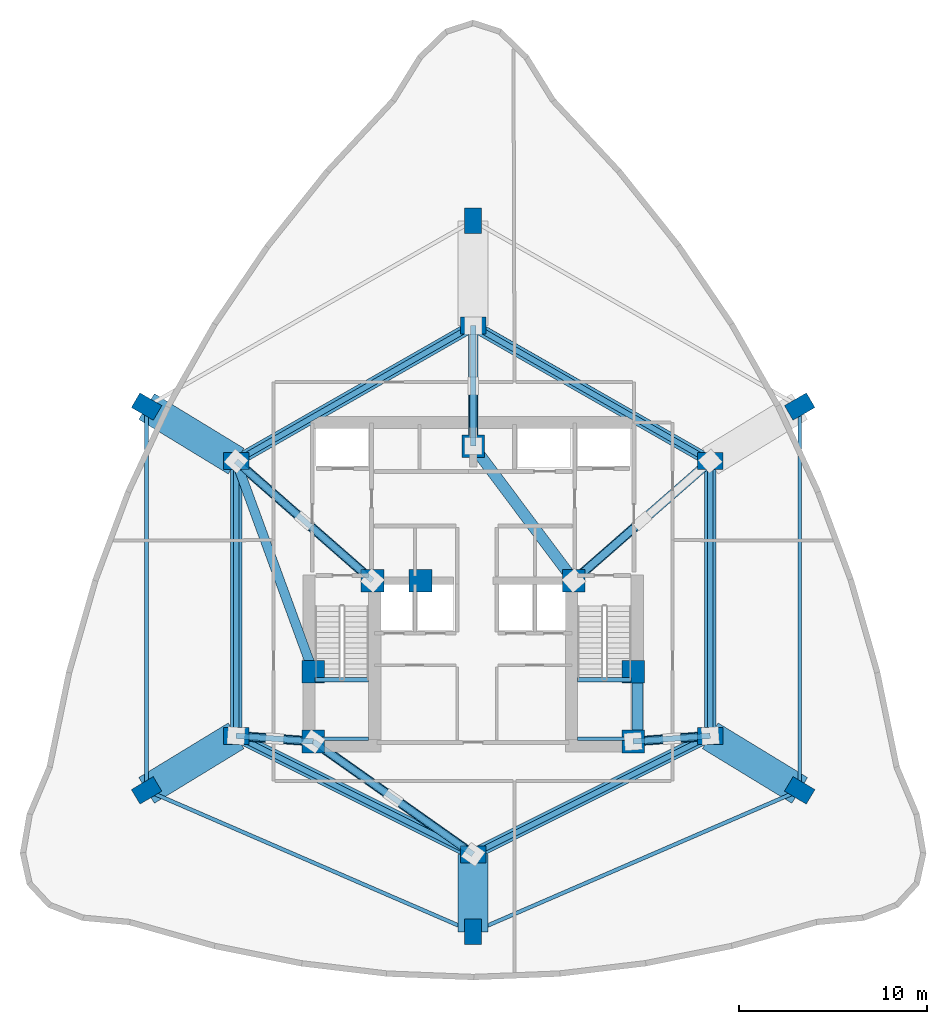
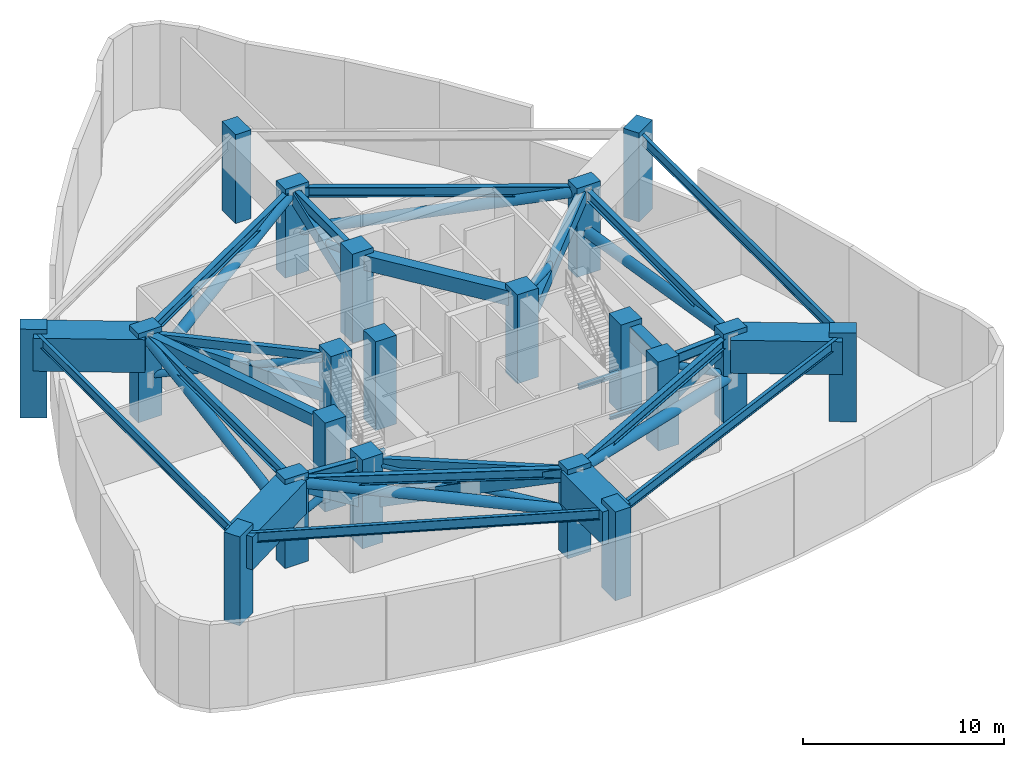
# One storey, part 1 of 6: 27 members, 24 beams, 20 columns.
"""IFC4 building model written with IfcOpenShell, lengths in metres."""

from ifc_helpers import new_model, si_unit, direction, frame, origin, origin_2d, place, context, subcontext, project, spatial, rectangle, hollow_rectangle, hollow_circle, i_section, extrude, material, material_profile, profile_set, type_object, element, save


model = new_model("IFC4")

# Units and contexts
model_context = context("Model", 3, precision=1e-05, world=origin(), true_north=direction((0.0, 1.0)))
body_context = subcontext(model_context, "Body", "Model", "MODEL_VIEW")
ifc_project = project(units=[si_unit("LENGTHUNIT", "METRE"), si_unit("AREAUNIT", "SQUARE_METRE"), si_unit("VOLUMEUNIT", "CUBIC_METRE"), si_unit("PLANEANGLEUNIT", "RADIAN"), si_unit("MASSUNIT", "GRAM", prefix="KILO")], contexts=[model_context])

# Site, building, storey
site_placement = place(None, origin())
site = spatial("IfcSite", under=ifc_project, at=site_placement, CompositionType="ELEMENT")
building_placement = place(site_placement, origin())
building = spatial("IfcBuilding", under=site, at=building_placement, Name="Miruveldt Soraemaru", CompositionType="ELEMENT")
storey_placement = place(building_placement, frame((0.0, 0.0, 90.39990234375)))
storey = spatial("IfcBuildingStorey", under=building, at=storey_placement, Name="L25", CompositionType="ELEMENT", Elevation=90.39990234375)

# Columns
ifc_material_1 = material(Name="Concrete C70/85 (70 MPa)", Category="concrete")
ifc_material_profile_1 = material_profile(ifc_material_1, rectangle(XDim=1.199951171875, YDim=1.199951171875, at=origin_2d()), Name="Concrete C70/85 (70 MPa)", Category="concrete")
ifc_profile_set_1 = profile_set([ifc_material_profile_1], Name="Concrete C70/85 (70 MPa)")
column_type_1 = type_object("IfcColumnType", Name="COL-CORE-1200", PredefinedType="COLUMN", material=ifc_profile_set_1)
for number, where, z_axis, x_axis, name in (
    (1, (35.5, 35.5, 0.0), (0.0, 0.0, 1.0), (1.0, 0.0, 0.0), "L25 Structural Column CC1"),
    (2, (38.64990234375, 44.050048828125, 0.0), (0.0, 0.0, 1.0), (1.0, 0.0, 0.0), "L25 Structural Column CC2"),
    (3, (52.5, 35.5, 0.0), (0.0, 0.0, 1.0), (1.0, 0.0, 0.0), "L25 Structural Column CC3"),
    (4, (52.5, 39.199951171875, 0.0), (0.0, 0.0, 1.0), (1.0, 0.0, 0.0), "L25 Structural Column CC4"),
    (5, (49.35009765625, 44.050048828125, 0.0), (0.0, 0.0, 1.0), (1.0, 0.0, 0.0), "L25 Structural Column CC5"),
    (6, (44.0, 51.199951171875, 0.0), (0.0, 0.0, 1.0), (1.0, 0.0, 0.0), "L25 Structural Column CC6"),
    (7, (35.5, 39.199951171875, 0.0), (0.0, 0.0, 1.0), (1.0, 0.0, 0.0), "L25 Structural Column CC7"),
    (8, (41.199951171875, 44.050048828125, 0.0), (0.0, 0.0, 1.0), (1.0, 0.0, 0.0), "L25 Structural Column CC8"),
):
    element("IfcColumn", number, at=place(storey_placement, frame(where, z_axis=z_axis, x_axis=x_axis)), inside=storey, type_object=column_type_1, Name=name, PredefinedType="COLUMN", context=body_context, shape_type="SweptSolid", body=[
        extrude(rectangle(XDim=1.199951171875, YDim=1.199951171875, at=origin_2d()), origin(), (0.0, 0.0, 1.0), 5.400146484375),
    ])
ifc_material_profile_2 = material_profile(ifc_material_1, rectangle(XDim=1.35009765625, YDim=0.89990234375, at=origin_2d()), Name="Concrete C70/85 (70 MPa)", Category="concrete")
ifc_profile_set_2 = profile_set([ifc_material_profile_2], Name="Concrete C70/85 (70 MPa)")
column_type_2 = type_object("IfcColumnType", Name="COL-TW-Z1B", PredefinedType="COLUMN", material=ifc_profile_set_2)
for number, where, z_axis, x_axis, name in (
    (9, (44.0, 57.60009765625, 0.0), (0.0, 0.0, 1.0), (1.0, 0.0, 0.0), "L25 Structural Column IR01"),
    (10, (56.60009765625, 50.39990234375, 0.0), (0.0, 0.0, 1.0), (1.0, 0.0, 0.0), "L25 Structural Column IR02"),
    (11, (56.60009765625, 35.800048828125, 0.0), (0.0, 0.0, 1.0), (1.0, 0.0, 0.0), "L25 Structural Column IR03"),
    (12, (44.0, 29.5, 0.0), (0.0, 0.0, 1.0), (1.0, 0.0, 0.0), "L25 Structural Column IR04"),
    (13, (31.39990234375, 35.800048828125, 0.0), (0.0, 0.0, 1.0), (1.0, 0.0, 0.0), "L25 Structural Column IR05"),
    (14, (31.39990234375, 50.39990234375, 0.0), (0.0, 0.0, 1.0), (1.0, 0.0, 0.0), "L25 Structural Column IR06"),
    (15, (44.0, 63.16796875, 0.0), (0.0, 0.0, 1.0), (0.0, 1.0, 0.0), "L25 Structural Column Z1P01"),
    (16, (61.35595703125, 53.300048828125, 0.0), (0.0, 0.0, 1.0), (0.864274801954, 0.50301994663, 0.0), "L25 Structural Column Z1P02"),
    (17, (61.35595703125, 32.89990234375, 0.0), (0.0, 0.0, 1.0), (-0.859852271597, 0.510542917912, 0.0), "L25 Structural Column Z1P03"),
    (18, (44.0, 25.382080078125, 0.0), (0.0, 0.0, 1.0), (0.0, 1.0, 0.0), "L25 Structural Column Z1P04"),
    (19, (26.64404296875, 32.89990234375, 0.0), (0.0, 0.0, 1.0), (0.859852271597, 0.510542917912, 0.0), "L25 Structural Column Z1P05"),
    (20, (26.64404296875, 53.300048828125, 0.0), (0.0, 0.0, 1.0), (-0.864274801954, 0.50301994663, 0.0), "L25 Structural Column Z1P06"),
):
    element("IfcColumn", number, at=place(storey_placement, frame(where, z_axis=z_axis, x_axis=x_axis)), inside=storey, type_object=column_type_2, Name=name, PredefinedType="COLUMN", context=body_context, shape_type="SweptSolid", body=[
        extrude(rectangle(XDim=1.35009765625, YDim=0.89990234375, at=origin_2d()), origin(), (0.0, 0.0, 1.0), 5.400146484375),
    ])

# Beams
ifc_material_2 = material(Name="Concrete C40/50 (40 MPa)", Category="concrete")
ifc_material_profile_3 = material_profile(ifc_material_2, rectangle(XDim=0.5, YDim=0.75, at=origin_2d()), Name="Concrete C40/50 (40 MPa)", Category="concrete")
ifc_profile_set_3 = profile_set([ifc_material_profile_3], Name="Concrete C40/50 (40 MPa)")
beam_type_1 = type_object("IfcBeamType", Name="BM-RC-500x750", PredefinedType="LINTEL", material=ifc_profile_set_3)
beam_1_placement = place(storey_placement, frame((31.39990234375, 50.39990234375, 4.72509765625), z_axis=(0.343770424598, -0.939053723262, 0.0), x_axis=(0.939053723262, 0.343770424598, 0.0)))
element("IfcBeam", 21, at=beam_1_placement, inside=storey, type_object=beam_type_1, Name="L25 West Lobby Lintel", PredefinedType="LINTEL", context=body_context, shape_type="SweptSolid", body=[
    extrude(rectangle(XDim=0.5, YDim=0.75, at=origin_2d()), origin(), (0.0, 0.0, 1.0), 11.9267578125),
])
ifc_material_3 = material(Name="Concrete C60/75 (60 MPa)", Category="concrete")
ifc_material_profile_4 = material_profile(ifc_material_3, rectangle(XDim=0.60009765625, YDim=0.89990234375, at=origin_2d()), Name="Concrete C60/75 (60 MPa)", Category="concrete")
ifc_profile_set_4 = profile_set([ifc_material_profile_4], Name="Concrete C60/75 (60 MPa)")
beam_type_2 = type_object("IfcBeamType", Name="BM-RC-600x900", PredefinedType="BEAM", material=ifc_profile_set_4)
beam_2_placement = place(storey_placement, frame((52.72998046875, 35.5, 4.650146484375), z_axis=(0.0, 1.0, 0.0), x_axis=(-1.0, 0.0, 0.0)))
element("IfcBeam", 22, at=beam_2_placement, inside=storey, type_object=beam_type_2, Name="L25 Core Tie Beam 3", PredefinedType="BEAM", context=body_context, shape_type="SweptSolid", body=[
    extrude(rectangle(XDim=0.60009765625, YDim=0.89990234375, at=origin_2d()), origin(), (0.0, 0.0, 1.0), 3.699951171875),
])
beam_3_placement = place(storey_placement, frame((49.35009765625, 44.050048828125, 4.650146484375), z_axis=(-0.599116023999, 0.800662219533, 0.0), x_axis=(-0.800662219533, -0.599116023999, 0.0)))
element("IfcBeam", 23, at=beam_3_placement, inside=storey, type_object=beam_type_2, Name="L25 Core Tie Beam 5", PredefinedType="BEAM", context=body_context, shape_type="SweptSolid", body=[
    extrude(rectangle(XDim=0.60009765625, YDim=0.89990234375, at=origin_2d()), origin(), (0.0, 0.0, 1.0), 8.929931640625),
])
ifc_material_4 = material(Name="Steel SM355 (355 MPa)", Category="steel")
ifc_material_profile_5 = material_profile(ifc_material_4, i_section(OverallWidth=0.300048828125, OverallDepth=0.587890625, WebThickness=0.011962890625, FlangeThickness=0.02001953125, FilletRadius=0.028076171875, at=origin_2d()), Name="Steel SM355 (355 MPa)", Category="steel")
ifc_profile_set_5 = profile_set([ifc_material_profile_5], Name="Steel SM355 (355 MPa)")
beam_type_3 = type_object("IfcBeamType", Name="BM-ST-H588", PredefinedType="BEAM", material=ifc_profile_set_5)
beam_4_placement = place(storey_placement, frame((44.0, 57.60009765625, 4.80615234375), z_axis=(0.868239001029, -0.496146185203, 0.0), x_axis=(0.496146185203, 0.868239001029, 0.0)))
element("IfcBeam", 24, at=beam_4_placement, inside=storey, type_object=beam_type_3, Name="L25 Inner Ring Girder 1", PredefinedType="BEAM", context=body_context, shape_type="SweptSolid", body=[
    extrude(i_section(OverallWidth=0.300048828125, OverallDepth=0.587890625, WebThickness=0.011962890625, FlangeThickness=0.02001953125, FilletRadius=0.028076171875, at=origin_2d()), origin(), (0.0, 0.0, 1.0), 14.51220703125),
])
beam_5_placement = place(storey_placement, frame((44.0, 51.199951171875, 4.80615234375), z_axis=(0.0, 1.0, 0.0), x_axis=(-1.0, 0.0, 0.0)))
element("IfcBeam", 25, at=beam_5_placement, inside=storey, type_object=beam_type_3, Name="L25 Core-to-Inner Radial Girder 1", PredefinedType="BEAM", context=body_context, shape_type="SweptSolid", body=[
    extrude(i_section(OverallWidth=0.300048828125, OverallDepth=0.587890625, WebThickness=0.011962890625, FlangeThickness=0.02001953125, FilletRadius=0.028076171875, at=origin_2d()), origin(), (0.0, 0.0, 1.0), 6.400146484375),
])
beam_6_placement = place(storey_placement, frame((56.60009765625, 50.39990234375, 4.80615234375), z_axis=(0.0, -1.0, 0.0), x_axis=(1.0, 0.0, 0.0)))
element("IfcBeam", 26, at=beam_6_placement, inside=storey, type_object=beam_type_3, Name="L25 Inner Ring Girder 2", PredefinedType="BEAM", context=body_context, shape_type="SweptSolid", body=[
    extrude(i_section(OverallWidth=0.300048828125, OverallDepth=0.587890625, WebThickness=0.011962890625, FlangeThickness=0.02001953125, FilletRadius=0.028076171875, at=origin_2d()), origin(), (0.0, 0.0, 1.0), 14.599853515625),
])
beam_7_placement = place(storey_placement, frame((56.60009765625, 35.800048828125, 4.80615234375), z_axis=(-0.894427191, -0.4472135955, 0.0), x_axis=(0.4472135955, -0.894427191, 0.0)))
element("IfcBeam", 27, at=beam_7_placement, inside=storey, type_object=beam_type_3, Name="L25 Inner Ring Girder 3", PredefinedType="BEAM", context=body_context, shape_type="SweptSolid", body=[
    extrude(i_section(OverallWidth=0.300048828125, OverallDepth=0.587890625, WebThickness=0.011962890625, FlangeThickness=0.02001953125, FilletRadius=0.028076171875, at=origin_2d()), origin(), (0.0, 0.0, 1.0), 14.08740234375),
])
beam_8_placement = place(storey_placement, frame((52.5, 35.5, 4.80615234375), z_axis=(0.997332985605, 0.072985723431, 0.0), x_axis=(-0.072985723431, 0.997332985605, 0.0)))
element("IfcBeam", 28, at=beam_8_placement, inside=storey, type_object=beam_type_3, Name="L25 Core-to-Inner Radial Girder 3", PredefinedType="BEAM", context=body_context, shape_type="SweptSolid", body=[
    extrude(i_section(OverallWidth=0.300048828125, OverallDepth=0.587890625, WebThickness=0.011962890625, FlangeThickness=0.02001953125, FilletRadius=0.028076171875, at=origin_2d()), origin(), (0.0, 0.0, 1.0), 4.111083984375),
])
beam_9_placement = place(storey_placement, frame((44.0, 29.5, 4.80615234375), z_axis=(-0.894427191, 0.4472135955, 0.0), x_axis=(-0.4472135955, -0.894427191, 0.0)))
element("IfcBeam", 29, at=beam_9_placement, inside=storey, type_object=beam_type_3, Name="L25 Inner Ring Girder 4", PredefinedType="BEAM", context=body_context, shape_type="SweptSolid", body=[
    extrude(i_section(OverallWidth=0.300048828125, OverallDepth=0.587890625, WebThickness=0.011962890625, FlangeThickness=0.02001953125, FilletRadius=0.028076171875, at=origin_2d()), origin(), (0.0, 0.0, 1.0), 14.08740234375),
])
beam_10_placement = place(storey_placement, frame((31.39990234375, 35.800048828125, 4.80615234375), z_axis=(0.0, 1.0, 0.0), x_axis=(-1.0, 0.0, 0.0)))
element("IfcBeam", 30, at=beam_10_placement, inside=storey, type_object=beam_type_3, Name="L25 Inner Ring Girder 5", PredefinedType="BEAM", context=body_context, shape_type="SweptSolid", body=[
    extrude(i_section(OverallWidth=0.300048828125, OverallDepth=0.587890625, WebThickness=0.011962890625, FlangeThickness=0.02001953125, FilletRadius=0.028076171875, at=origin_2d()), origin(), (0.0, 0.0, 1.0), 14.599853515625),
])
beam_11_placement = place(storey_placement, frame((35.5, 35.5, 4.80615234375), z_axis=(-0.997332985605, 0.072985723431, 0.0), x_axis=(-0.072985723431, -0.997332985605, 0.0)))
element("IfcBeam", 31, at=beam_11_placement, inside=storey, type_object=beam_type_3, Name="L25 Core-to-Inner Radial Girder 5", PredefinedType="BEAM", context=body_context, shape_type="SweptSolid", body=[
    extrude(i_section(OverallWidth=0.300048828125, OverallDepth=0.587890625, WebThickness=0.011962890625, FlangeThickness=0.02001953125, FilletRadius=0.028076171875, at=origin_2d()), origin(), (0.0, 0.0, 1.0), 4.111083984375),
])
beam_12_placement = place(storey_placement, frame((31.39990234375, 50.39990234375, 4.80615234375), z_axis=(0.868239001029, 0.496146185203, 0.0), x_axis=(-0.496146185203, 0.868239001029, 0.0)))
element("IfcBeam", 32, at=beam_12_placement, inside=storey, type_object=beam_type_3, Name="L25 Inner Ring Girder 6", PredefinedType="BEAM", context=body_context, shape_type="SweptSolid", body=[
    extrude(i_section(OverallWidth=0.300048828125, OverallDepth=0.587890625, WebThickness=0.011962890625, FlangeThickness=0.02001953125, FilletRadius=0.028076171875, at=origin_2d()), origin(), (0.0, 0.0, 1.0), 14.51220703125),
])
ifc_material_profile_6 = material_profile(ifc_material_4, i_section(OverallWidth=0.199951171875, OverallDepth=0.60009765625, WebThickness=0.010986328125, FlangeThickness=0.01708984375, FilletRadius=0.02197265625, at=origin_2d()), Name="Steel SM355 (355 MPa)", Category="steel")
ifc_profile_set_6 = profile_set([ifc_material_profile_6], Name="Steel SM355 (355 MPa)")
beam_type_4 = type_object("IfcBeamType", Name="BM-ST-H600", PredefinedType="SPANDREL", material=ifc_profile_set_6)
beam_13_placement = place(storey_placement, frame((61.35595703125, 53.300048828125, 4.800048828125), z_axis=(0.0, -1.0, 0.0), x_axis=(1.0, 0.0, 0.0)))
element("IfcBeam", 33, at=beam_13_placement, inside=storey, type_object=beam_type_4, Name="L25 Zone-1 Spandrel Beam 2", PredefinedType="SPANDREL", context=body_context, shape_type="SweptSolid", body=[
    extrude(i_section(OverallWidth=0.199951171875, OverallDepth=0.60009765625, WebThickness=0.010986328125, FlangeThickness=0.01708984375, FilletRadius=0.02197265625, at=origin_2d()), origin(), (0.0, 0.0, 1.0), 20.400146484375),
])
for number, where, z_axis, x_axis, name in (
    (34, (61.35595703125, 32.89990234375, 4.800048828125), (-0.917615263736, -0.397469782195, 0.0), (0.397469782195, -0.917615263736, 0.0), "L25 Zone-1 Spandrel Beam 3"),
    (35, (44.0, 25.382080078125, 4.800048828125), (-0.917615263736, 0.397469782195, 0.0), (-0.397469782195, -0.917615263736, 0.0), "L25 Zone-1 Spandrel Beam 4"),
):
    element("IfcBeam", number, at=place(storey_placement, frame(where, z_axis=z_axis, x_axis=x_axis)), inside=storey, type_object=beam_type_4, Name=name, PredefinedType="SPANDREL", context=body_context, shape_type="SweptSolid", body=[
        extrude(i_section(OverallWidth=0.199951171875, OverallDepth=0.60009765625, WebThickness=0.010986328125, FlangeThickness=0.01708984375, FilletRadius=0.02197265625, at=origin_2d()), origin(), (0.0, 0.0, 1.0), 18.914306640625),
    ])
beam_14_placement = place(storey_placement, frame((26.64404296875, 32.89990234375, 4.800048828125), z_axis=(0.0, 1.0, 0.0), x_axis=(-1.0, 0.0, 0.0)))
element("IfcBeam", 36, at=beam_14_placement, inside=storey, type_object=beam_type_4, Name="L25 Zone-1 Spandrel Beam 5", PredefinedType="SPANDREL", context=body_context, shape_type="SweptSolid", body=[
    extrude(i_section(OverallWidth=0.199951171875, OverallDepth=0.60009765625, WebThickness=0.010986328125, FlangeThickness=0.01708984375, FilletRadius=0.02197265625, at=origin_2d()), origin(), (0.0, 0.0, 1.0), 20.400146484375),
])
ifc_material_profile_7 = material_profile(ifc_material_4, i_section(OverallWidth=0.199951171875, OverallDepth=0.199951171875, WebThickness=0.008056640625, FlangeThickness=0.011962890625, FilletRadius=0.012939453125, at=origin_2d()), Name="Steel SM355 (355 MPa)", Category="steel")
ifc_profile_set_7 = profile_set([ifc_material_profile_7], Name="Steel SM355 (355 MPa)")
beam_type_5 = type_object("IfcBeamType", Name="BM-ST-LND200", PredefinedType="BEAM", material=ifc_profile_set_7)
for number, where, z_axis, x_axis, name in (
    (37, (35.60009765625, 35.64990234375, 2.400146484375), (1.0, 0.0, 0.0), (0.0, 1.0, 0.0), "L25 ST1 Landing End Beam 1B"),
    (38, (49.550048828125, 35.64990234375, 2.400146484375), (1.0, 0.0, 0.0), (0.0, 1.0, 0.0), "L25 ST2 Landing End Beam 1B"),
):
    element("IfcBeam", number, at=place(storey_placement, frame(where, z_axis=z_axis, x_axis=x_axis)), inside=storey, type_object=beam_type_5, Name=name, PredefinedType="BEAM", context=body_context, shape_type="SweptSolid", body=[
        extrude(i_section(OverallWidth=0.199951171875, OverallDepth=0.199951171875, WebThickness=0.008056640625, FlangeThickness=0.011962890625, FilletRadius=0.012939453125, at=origin_2d()), origin(), (0.0, 0.0, 1.0), 2.849853515625),
    ])
ifc_material_profile_8 = material_profile(ifc_material_4, i_section(OverallWidth=0.25, OverallDepth=0.25, WebThickness=0.009033203125, FlangeThickness=0.013916015625, FilletRadius=0.01611328125, at=origin_2d()), Name="Steel SM355 (355 MPa)", Category="steel")
ifc_profile_set_8 = profile_set([ifc_material_profile_8], Name="Steel SM355 (355 MPa)")
beam_type_6 = type_object("IfcBeamType", Name="BM-ST-LND250", PredefinedType="BEAM", material=ifc_profile_set_8)
for number, where, z_axis, x_axis, name in (
    (39, (35.60009765625, 38.780029296875, 2.375), (1.0, 0.0, 0.0), (0.0, 1.0, 0.0), "L25 ST1 Landing Support Beam 1A"),
    (40, (49.550048828125, 38.780029296875, 2.375), (1.0, 0.0, 0.0), (0.0, 1.0, 0.0), "L25 ST2 Landing Support Beam 1A"),
):
    element("IfcBeam", number, at=place(storey_placement, frame(where, z_axis=z_axis, x_axis=x_axis)), inside=storey, type_object=beam_type_6, Name=name, PredefinedType="BEAM", context=body_context, shape_type="SweptSolid", body=[
        extrude(i_section(OverallWidth=0.25, OverallDepth=0.25, WebThickness=0.009033203125, FlangeThickness=0.013916015625, FilletRadius=0.01611328125, at=origin_2d()), origin(), (0.0, 0.0, 1.0), 2.849853515625),
    ])
ifc_material_profile_9 = material_profile(ifc_material_1, rectangle(XDim=1.60009765625, YDim=2.0, at=origin_2d()), Name="Concrete C70/85 (70 MPa)", Category="concrete")
ifc_profile_set_9 = profile_set([ifc_material_profile_9], Name="Concrete C70/85 (70 MPa)")
beam_type_7 = type_object("IfcBeamType", Name="BM-TG-1600x2000", PredefinedType="USERDEFINED", material=ifc_profile_set_9)
beam_15_placement = place(storey_placement, frame((56.60009765625, 35.800048828125, 4.10009765625), z_axis=(0.853777644156, -0.520637814935, 0.0), x_axis=(0.520637814935, 0.853777644156, 0.0)))
element("IfcBeam", 41, at=beam_15_placement, inside=storey, type_object=beam_type_7, Name="L25 Continuous Zone-2 Transfer Girder 3", ObjectType="TRANSFER GIRDER", PredefinedType="USERDEFINED", context=body_context, shape_type="SweptSolid", body=[
    extrude(rectangle(XDim=1.60009765625, YDim=2.0, at=origin_2d()), origin(), (0.0, 0.0, 1.0), 5.5703125),
])
beam_16_placement = place(storey_placement, frame((44.0, 29.5, 4.10009765625), z_axis=(0.0, -1.0, 0.0), x_axis=(1.0, 0.0, 0.0)))
element("IfcBeam", 42, at=beam_16_placement, inside=storey, type_object=beam_type_7, Name="L25 Continuous Zone-2 Transfer Girder 4", ObjectType="TRANSFER GIRDER", PredefinedType="USERDEFINED", context=body_context, shape_type="SweptSolid", body=[
    extrude(rectangle(XDim=1.60009765625, YDim=2.0, at=origin_2d()), origin(), (0.0, 0.0, 1.0), 4.117919921875),
])
for number, where, z_axis, x_axis, name in (
    (43, (31.39990234375, 35.800048828125, 4.10009765625), (-0.853777644156, -0.520637814935, 0.0), (0.520637814935, -0.853777644156, 0.0), "L25 Continuous Zone-2 Transfer Girder 5"),
    (44, (31.39990234375, 50.39990234375, 4.10009765625), (-0.853777644156, 0.520637814935, 0.0), (-0.520637814935, -0.853777644156, 0.0), "L25 Continuous Zone-2 Transfer Girder 6"),
):
    element("IfcBeam", number, at=place(storey_placement, frame(where, z_axis=z_axis, x_axis=x_axis)), inside=storey, type_object=beam_type_7, Name=name, ObjectType="TRANSFER GIRDER", PredefinedType="USERDEFINED", context=body_context, shape_type="SweptSolid", body=[
        extrude(rectangle(XDim=1.60009765625, YDim=2.0, at=origin_2d()), origin(), (0.0, 0.0, 1.0), 5.5703125),
    ])

# Members
ifc_material_5 = material(Name="Steel S460 (460 MPa)", Category="steel")
ifc_material_profile_10 = material_profile(ifc_material_5, hollow_circle(Radius=0.3046875, WallThickness=0.02490234375, at=origin_2d()), Name="Steel S460 (460 MPa)", Category="steel")
ifc_profile_set_10 = profile_set([ifc_material_profile_10], Name="Steel S460 (460 MPa)")
member_type_1 = type_object("IfcMemberType", Name="MEM-BLT-CHS609", PredefinedType="BRACE", material=ifc_profile_set_10)
member_1_placement = place(storey_placement, frame((44.0, 57.60009765625, 2.420166015625), z_axis=(0.85660499507, -0.489498052986, 0.163154952558), x_axis=(0.496146185203, 0.868239001029, 0.0)))
element("IfcMember", 45, at=member_1_placement, inside=storey, type_object=member_type_1, Name="L25 Belt Truss Diagonal 1", PredefinedType="BRACE", context=body_context, shape_type="SweptSolid", body=[
    extrude(hollow_circle(Radius=0.3046875, WallThickness=0.02490234375, at=origin_2d()), origin(), (0.0, 0.0, 1.0), 14.709228515625),
])
member_2_placement = place(storey_placement, frame((56.60009765625, 50.39990234375, 2.420166015625), z_axis=(0.0, -0.98675761441, 0.162201758326), x_axis=(1.0, 0.0, 0.0)))
element("IfcMember", 46, at=member_2_placement, inside=storey, type_object=member_type_1, Name="L25 Belt Truss Diagonal 2", PredefinedType="BRACE", context=body_context, shape_type="SweptSolid", body=[
    extrude(hollow_circle(Radius=0.3046875, WallThickness=0.02490234375, at=origin_2d()), origin(), (0.0, 0.0, 1.0), 14.7958984375),
])
for number, where, z_axis, x_axis, name in (
    (47, (56.60009765625, 35.800048828125, 2.420166015625), (-0.881723946476, -0.440861973238, 0.167939282966), (0.4472135955, -0.894427191, 0.0), "L25 Belt Truss Diagonal 3"),
    (48, (44.0, 29.5, 2.420166015625), (-0.881723946476, 0.440861973238, 0.167939282966), (-0.4472135955, -0.894427191, 0.0), "L25 Belt Truss Diagonal 4"),
):
    element("IfcMember", number, at=place(storey_placement, frame(where, z_axis=z_axis, x_axis=x_axis)), inside=storey, type_object=member_type_1, Name=name, PredefinedType="BRACE", context=body_context, shape_type="SweptSolid", body=[
        extrude(hollow_circle(Radius=0.3046875, WallThickness=0.02490234375, at=origin_2d()), origin(), (0.0, 0.0, 1.0), 14.290283203125),
    ])
member_3_placement = place(storey_placement, frame((31.39990234375, 35.800048828125, 2.420166015625), z_axis=(0.0, 0.98675761441, 0.162201758326), x_axis=(-1.0, 0.0, 0.0)))
element("IfcMember", 49, at=member_3_placement, inside=storey, type_object=member_type_1, Name="L25 Belt Truss Diagonal 5", PredefinedType="BRACE", context=body_context, shape_type="SweptSolid", body=[
    extrude(hollow_circle(Radius=0.3046875, WallThickness=0.02490234375, at=origin_2d()), origin(), (0.0, 0.0, 1.0), 14.7958984375),
])
member_4_placement = place(storey_placement, frame((31.39990234375, 50.39990234375, 2.420166015625), z_axis=(0.85660499507, 0.489498052986, 0.163154952558), x_axis=(-0.496146185203, 0.868239001029, 0.0)))
element("IfcMember", 50, at=member_4_placement, inside=storey, type_object=member_type_1, Name="L25 Belt Truss Diagonal 6", PredefinedType="BRACE", context=body_context, shape_type="SweptSolid", body=[
    extrude(hollow_circle(Radius=0.3046875, WallThickness=0.02490234375, at=origin_2d()), origin(), (0.0, 0.0, 1.0), 14.709228515625),
])
ifc_material_profile_11 = material_profile(ifc_material_5, hollow_rectangle(XDim=0.300048828125, YDim=0.5, WallThickness=0.02001953125, at=origin_2d()), Name="Steel S460 (460 MPa)", Category="steel")
ifc_profile_set_11 = profile_set([ifc_material_profile_11], Name="Steel S460 (460 MPa)")
member_type_2 = type_object("IfcMemberType", Name="MEM-CHD-RHS500", PredefinedType="CHORD", material=ifc_profile_set_11)
member_5_placement = place(storey_placement, frame((44.0, 51.199951171875, 4.820068359375), z_axis=(0.0, 1.0, 0.0), x_axis=(-1.0, 0.0, 0.0)))
element("IfcMember", 51, at=member_5_placement, inside=storey, type_object=member_type_2, Name="L25 Outrigger Top Chord 1", PredefinedType="CHORD", context=body_context, shape_type="SweptSolid", body=[
    extrude(hollow_rectangle(XDim=0.300048828125, YDim=0.5, WallThickness=0.02001953125, at=origin_2d()), origin(), (0.0, 0.0, 1.0), 6.400146484375),
])
member_6_placement = place(storey_placement, frame((52.5, 35.5, 4.820068359375), z_axis=(0.997332985605, 0.072985723431, 0.0), x_axis=(-0.072985723431, 0.997332985605, 0.0)))
element("IfcMember", 52, at=member_6_placement, inside=storey, type_object=member_type_2, Name="L25 Outrigger Top Chord 3", PredefinedType="CHORD", context=body_context, shape_type="SweptSolid", body=[
    extrude(hollow_rectangle(XDim=0.300048828125, YDim=0.5, WallThickness=0.02001953125, at=origin_2d()), origin(), (0.0, 0.0, 1.0), 4.111083984375),
])
member_7_placement = place(storey_placement, frame((35.5, 35.5, 4.820068359375), z_axis=(0.816967863265, -0.576683197599, 0.0), x_axis=(0.576683197599, 0.816967863265, 0.0)))
element("IfcMember", 53, at=member_7_placement, inside=storey, type_object=member_type_2, Name="L25 Outrigger Top Chord 4", PredefinedType="CHORD", context=body_context, shape_type="SweptSolid", body=[
    extrude(hollow_rectangle(XDim=0.300048828125, YDim=0.5, WallThickness=0.02001953125, at=origin_2d()), origin(), (0.0, 0.0, 1.0), 10.404296875),
])
member_8_placement = place(storey_placement, frame((35.5, 35.5, 4.820068359375), z_axis=(-0.997332985605, 0.072985723431, 0.0), x_axis=(-0.072985723431, -0.997332985605, 0.0)))
element("IfcMember", 54, at=member_8_placement, inside=storey, type_object=member_type_2, Name="L25 Outrigger Top Chord 5", PredefinedType="CHORD", context=body_context, shape_type="SweptSolid", body=[
    extrude(hollow_rectangle(XDim=0.300048828125, YDim=0.5, WallThickness=0.02001953125, at=origin_2d()), origin(), (0.0, 0.0, 1.0), 4.111083984375),
])
member_9_placement = place(storey_placement, frame((38.64990234375, 44.050048828125, 4.820068359375), z_axis=(-0.752262759904, 0.658863218021, 0.0), x_axis=(-0.658863218021, -0.752262759904, 0.0)))
element("IfcMember", 55, at=member_9_placement, inside=storey, type_object=member_type_2, Name="L25 Outrigger Top Chord 6", PredefinedType="CHORD", context=body_context, shape_type="SweptSolid", body=[
    extrude(hollow_rectangle(XDim=0.300048828125, YDim=0.5, WallThickness=0.02001953125, at=origin_2d()), origin(), (0.0, 0.0, 1.0), 9.6376953125),
])
ifc_material_profile_12 = material_profile(ifc_material_5, hollow_rectangle(XDim=0.5, YDim=0.75, WallThickness=0.028076171875, at=origin_2d()), Name="Steel S460 (460 MPa)", Category="steel")
ifc_profile_set_12 = profile_set([ifc_material_profile_12], Name="Steel S460 (460 MPa)")
member_type_3 = type_object("IfcMemberType", Name="MEM-OUT-RHS750", PredefinedType="BRACE", material=ifc_profile_set_12)
member_10_placement = place(storey_placement, frame((44.0, 51.199951171875, 2.420166015625), z_axis=(0.0, 0.936336516595, 0.351103870232), x_axis=(-1.0, 0.0, 0.0)))
element("IfcMember", 56, at=member_10_placement, inside=storey, type_object=member_type_3, Name="L25 Outrigger Continuous Diagonal 1", PredefinedType="BRACE", context=body_context, shape_type="SweptSolid", body=[
    extrude(hollow_rectangle(XDim=0.5, YDim=0.75, WallThickness=0.028076171875, at=origin_2d()), origin(), (0.0, 0.0, 1.0), 6.835205078125),
])
member_11_placement = place(storey_placement, frame((49.35009765625, 44.050048828125, 2.420166015625), z_axis=(0.729970979928, 0.63933914389, 0.241635733186), x_axis=(-0.658863218021, 0.752262759904, 0.0)))
element("IfcMember", 57, at=member_11_placement, inside=storey, type_object=member_type_3, Name="L25 Outrigger Continuous Diagonal 2", PredefinedType="BRACE", context=body_context, shape_type="SweptSolid", body=[
    extrude(hollow_rectangle(XDim=0.5, YDim=0.75, WallThickness=0.028076171875, at=origin_2d()), origin(), (0.0, 0.0, 1.0), 9.931884765625),
])
member_12_placement = place(storey_placement, frame((52.5, 35.5, 2.420166015625), z_axis=(0.861312570062, 0.063031627284, 0.504150444427), x_axis=(-0.072985723431, 0.997332985605, 0.0)))
element("IfcMember", 58, at=member_12_placement, inside=storey, type_object=member_type_3, Name="L25 Outrigger Continuous Diagonal 3", PredefinedType="BRACE", context=body_context, shape_type="SweptSolid", body=[
    extrude(hollow_rectangle(XDim=0.5, YDim=0.75, WallThickness=0.028076171875, at=origin_2d()), origin(), (0.0, 0.0, 1.0), 4.76025390625),
])
member_13_placement = place(storey_placement, frame((35.5, 35.5, 2.420166015625), z_axis=(0.796064662036, -0.561927996731, 0.224762052729), x_axis=(0.576683197599, 0.816967863265, 0.0)))
element("IfcMember", 59, at=member_13_placement, inside=storey, type_object=member_type_3, Name="L25 Outrigger Continuous Diagonal 4", PredefinedType="BRACE", context=body_context, shape_type="SweptSolid", body=[
    extrude(hollow_rectangle(XDim=0.5, YDim=0.75, WallThickness=0.028076171875, at=origin_2d()), origin(), (0.0, 0.0, 1.0), 10.677490234375),
])
member_14_placement = place(storey_placement, frame((35.5, 35.5, 2.420166015625), z_axis=(-0.861312570062, 0.063031627284, 0.504150444427), x_axis=(-0.072985723431, -0.997332985605, 0.0)))
element("IfcMember", 60, at=member_14_placement, inside=storey, type_object=member_type_3, Name="L25 Outrigger Continuous Diagonal 5", PredefinedType="BRACE", context=body_context, shape_type="SweptSolid", body=[
    extrude(hollow_rectangle(XDim=0.5, YDim=0.75, WallThickness=0.028076171875, at=origin_2d()), origin(), (0.0, 0.0, 1.0), 4.76025390625),
])
member_15_placement = place(storey_placement, frame((38.64990234375, 44.050048828125, 2.420166015625), z_axis=(-0.729970979928, 0.63933914389, 0.241635733186), x_axis=(-0.658863218021, -0.752262759904, 0.0)))
element("IfcMember", 61, at=member_15_placement, inside=storey, type_object=member_type_3, Name="L25 Outrigger Continuous Diagonal 6", PredefinedType="BRACE", context=body_context, shape_type="SweptSolid", body=[
    extrude(hollow_rectangle(XDim=0.5, YDim=0.75, WallThickness=0.028076171875, at=origin_2d()), origin(), (0.0, 0.0, 1.0), 9.931884765625),
])
ifc_material_profile_13 = material_profile(ifc_material_5, hollow_circle(Radius=0.203125, WallThickness=0.01611328125, at=origin_2d()), Name="Steel S460 (460 MPa)", Category="steel")
ifc_profile_set_13 = profile_set([ifc_material_profile_13], Name="Steel S460 (460 MPa)")
member_type_4 = type_object("IfcMemberType", Name="MEM-STR-CHS406", PredefinedType="STRUT", material=ifc_profile_set_13)
member_16_placement = place(storey_placement, frame((44.0, 51.199951171875, 4.820068359375), z_axis=(0.0, 0.936332113326, -0.351115612802), x_axis=(-1.0, 0.0, 0.0)))
element("IfcMember", 62, at=member_16_placement, inside=storey, type_object=member_type_4, Name="L25 Outrigger Split Strut Upper 1A", PredefinedType="STRUT", context=body_context, shape_type="SweptSolid", body=[
    extrude(hollow_circle(Radius=0.203125, WallThickness=0.01611328125, at=origin_2d()), origin(), (0.0, 0.0, 1.0), 3.41748046875),
])
member_17_placement = place(storey_placement, frame((49.35009765625, 44.050048828125, 4.820068359375), z_axis=(0.729959507836, 0.639353677223, -0.241631935682), x_axis=(-0.658877553092, 0.752250204407, 0.0)))
element("IfcMember", 63, at=member_17_placement, inside=storey, type_object=member_type_4, Name="L25 Outrigger Split Strut Upper 2A", PredefinedType="STRUT", context=body_context, shape_type="SweptSolid", body=[
    extrude(hollow_circle(Radius=0.203125, WallThickness=0.01611328125, at=origin_2d()), origin(), (0.0, 0.0, 1.0), 4.966064453125),
])
for number, where, z_axis, x_axis, name in (
    (64, (52.5, 35.5, 4.820068359375), (0.861315353306, 0.062980543876, -0.504152073538), (-0.072926653125, 0.997337306664, 0.0), "L25 Outrigger Split Strut Upper 3A"),
    (65, (54.550048828125, 35.64990234375, 3.6201171875), (0.861309784579, 0.063082710196, -0.504148814006), (-0.07304479297, 0.997328661084, 0.0), "L25 Outrigger Split Strut Lower 3B"),
):
    element("IfcMember", number, at=place(storey_placement, frame(where, z_axis=z_axis, x_axis=x_axis)), inside=storey, type_object=member_type_4, Name=name, PredefinedType="STRUT", context=body_context, shape_type="SweptSolid", body=[
        extrude(hollow_circle(Radius=0.203125, WallThickness=0.01611328125, at=origin_2d()), origin(), (0.0, 0.0, 1.0), 2.380126953125),
    ])
for number, where, z_axis, x_axis, name in (
    (66, (35.5, 35.5, 4.820068359375), (0.796064662036, -0.561927996731, -0.224762052729), (0.576683197599, 0.816967863265, 0.0), "L25 Outrigger Split Strut Upper 4A"),
    (67, (39.75, 32.5, 3.6201171875), (0.796064662036, -0.561927996731, -0.224762052729), (0.576683197599, 0.816967863265, 0.0), "L25 Outrigger Split Strut Lower 4B"),
):
    element("IfcMember", number, at=place(storey_placement, frame(where, z_axis=z_axis, x_axis=x_axis)), inside=storey, type_object=member_type_4, Name=name, PredefinedType="STRUT", context=body_context, shape_type="SweptSolid", body=[
        extrude(hollow_circle(Radius=0.203125, WallThickness=0.01611328125, at=origin_2d()), origin(), (0.0, 0.0, 1.0), 5.3388671875),
    ])
for number, where, z_axis, x_axis, name in (
    (68, (35.5, 35.5, 4.820068359375), (-0.861315353306, 0.062980543876, -0.504152073538), (-0.072926653125, -0.997337306664, 0.0), "L25 Outrigger Split Strut Upper 5A"),
    (69, (33.449951171875, 35.64990234375, 3.6201171875), (-0.861309784579, 0.063082710196, -0.504148814006), (-0.07304479297, -0.997328661084, 0.0), "L25 Outrigger Split Strut Lower 5B"),
):
    element("IfcMember", number, at=place(storey_placement, frame(where, z_axis=z_axis, x_axis=x_axis)), inside=storey, type_object=member_type_4, Name=name, PredefinedType="STRUT", context=body_context, shape_type="SweptSolid", body=[
        extrude(hollow_circle(Radius=0.203125, WallThickness=0.01611328125, at=origin_2d()), origin(), (0.0, 0.0, 1.0), 2.380126953125),
    ])
member_18_placement = place(storey_placement, frame((38.64990234375, 44.050048828125, 4.820068359375), z_axis=(-0.729959507836, 0.639353677223, -0.241631935682), x_axis=(-0.658877553092, -0.752250204407, 0.0)))
element("IfcMember", 70, at=member_18_placement, inside=storey, type_object=member_type_4, Name="L25 Outrigger Split Strut Upper 6A", PredefinedType="STRUT", context=body_context, shape_type="SweptSolid", body=[
    extrude(hollow_circle(Radius=0.203125, WallThickness=0.01611328125, at=origin_2d()), origin(), (0.0, 0.0, 1.0), 4.966064453125),
])
member_19_placement = place(storey_placement, frame((35.02490234375, 47.22509765625, 3.6201171875), z_axis=(-0.729982452121, 0.639324609872, -0.241639530723), x_axis=(-0.658848882232, -0.752275315547, 0.0)))
element("IfcMember", 71, at=member_19_placement, inside=storey, type_object=member_type_4, Name="L25 Outrigger Split Strut Lower 6B", PredefinedType="STRUT", context=body_context, shape_type="SweptSolid", body=[
    extrude(hollow_circle(Radius=0.203125, WallThickness=0.01611328125, at=origin_2d()), origin(), (0.0, 0.0, 1.0), 4.9658203125),
])

save(model, "model.ifc")
